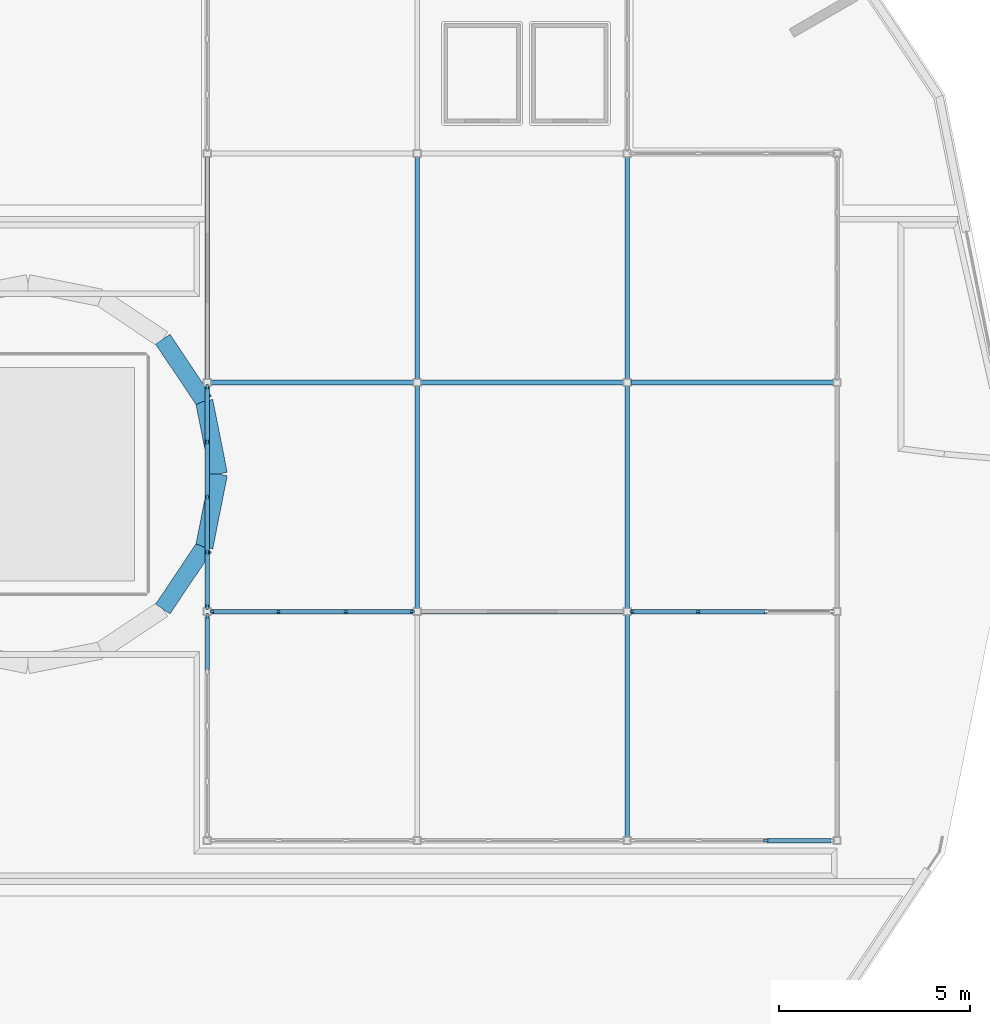
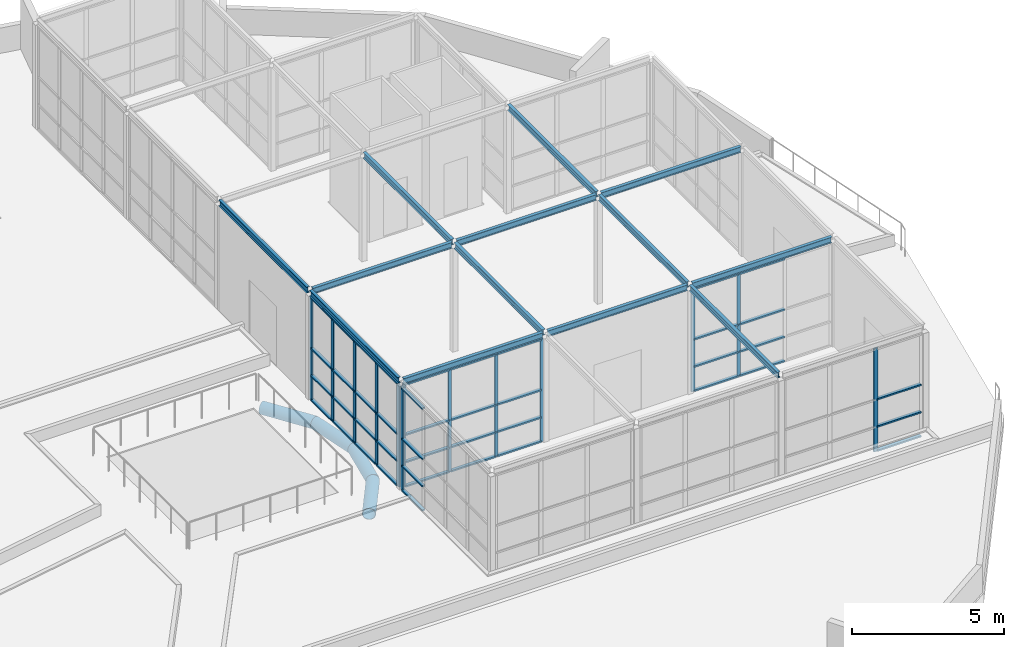
# One storey, part 12 of 40: 60 members, 13 beams, 5 elements without a shape of their own.
"""IFC4 building model written with IfcOpenShell, lengths in metres."""

from ifc_helpers import new_model, si_unit, direction, frame, origin, origin_2d, place, context, subcontext, project, spatial, rectangle, hollow_circle, i_section, extrude, material, material_profile, profile_set, type_object, element, aggregate, save


model = new_model("IFC4")

# Units and contexts
model_context = context("Model", 3, precision=1e-05, world=origin(), true_north=direction((0.0, 1.0)))
body_context = subcontext(model_context, "Body", "Model", "MODEL_VIEW")
ifc_project = project(units=[si_unit("LENGTHUNIT", "METRE"), si_unit("AREAUNIT", "SQUARE_METRE"), si_unit("VOLUMEUNIT", "CUBIC_METRE"), si_unit("PLANEANGLEUNIT", "RADIAN"), si_unit("MASSUNIT", "GRAM", prefix="KILO")], contexts=[model_context])

# Site, building, storey
site_placement = place(None, origin())
site = spatial("IfcSite", under=ifc_project, at=site_placement, CompositionType="ELEMENT")
building_placement = place(site_placement, origin())
building = spatial("IfcBuilding", under=site, at=building_placement, Name="Ceibo Conservatory and Research Tower", CompositionType="ELEMENT")
storey_placement = place(building_placement, frame((0.0, 0.0, 6.0)))
storey = spatial("IfcBuildingStorey", under=building, at=storey_placement, Name="L01", CompositionType="ELEMENT", Elevation=6.0)

# Members
ifc_material_1 = material(Name="Steel ASTM A500 Gr C", Category="steel")
ifc_material_profile_1 = material_profile(ifc_material_1, hollow_circle(Radius=0.228515625, WallThickness=0.01416015625, at=origin_2d()), Name="CHS 457.2x14.27")
ifc_profile_set_1 = profile_set([ifc_material_profile_1], Name="Steel ASTM A500 Gr C")
member_type_1 = type_object("IfcMemberType", Name="CHS 457.2x14.27", PredefinedType="NOTDEFINED", material=ifc_profile_set_1)
for number, where, z_axis, x_axis, name in (
    (1, (173.0, 36.0, -0.6796875), (-0.19510522281, 0.980782316333, 0.0), (-0.980782316333, -0.19510522281, 0.0), "Compression ring VC-CR01"),
    (2, (172.619384765625, 37.913330078125, -0.6796875), (-0.555479647543, 0.831530132446, 0.0), (-0.831530132446, -0.555479647543, 0.0), "Compression ring VC-CR02"),
    (3, (171.53564453125, 32.46435546875, -0.6796875), (0.555479647543, 0.831530132446, 0.0), (-0.831530132446, 0.555479647543, 0.0), "Compression ring VC-CR15"),
    (4, (172.619384765625, 34.086669921875, -0.6796875), (0.19510522281, 0.980782316333, 0.0), (-0.980782316333, 0.19510522281, 0.0), "Compression ring VC-CR16"),
):
    element("IfcMember", number, at=place(storey_placement, frame(where, z_axis=z_axis, x_axis=x_axis)), inside=storey, type_object=member_type_1, Name=name, PredefinedType="CHORD", context=body_context, shape_type="SweptSolid", body=[
        extrude(hollow_circle(Radius=0.228515625, WallThickness=0.01416015625, at=origin_2d()), origin(), (0.0, 0.0, 1.0), 1.950927734375),
    ])

# Beams
ifc_material_2 = material(Name="Steel S355J2", Category="steel")
ifc_material_profile_2 = material_profile(ifc_material_2, i_section(OverallWidth=0.1201171875, OverallDepth=0.239990234375, WebThickness=0.006103515625, FlangeThickness=0.009765625, at=origin_2d()), Name="IPE 240")
ifc_profile_set_2 = profile_set([ifc_material_profile_2], Name="Steel S355J2")
beam_type = type_object("IfcBeamType", Name="IPE 240 gallery roof beam", PredefinedType="BEAM", material=ifc_profile_set_2)
for number, where, z_axis, x_axis, name in (
    (5, (172.794921875, 32.39990234375, 4.280029296875), (1.0, 0.0, 0.0), (0.0, 1.0, 0.0), "Sky Gallery roof beam VC-SBh01"),
    (6, (178.294921875, 32.39990234375, 4.280029296875), (1.0, 0.0, 0.0), (0.0, 1.0, 0.0), "Sky Gallery roof beam VC-SBh11"),
    (7, (183.794921875, 32.39990234375, 4.280029296875), (1.0, 0.0, 0.0), (0.0, 1.0, 0.0), "Sky Gallery roof beam VC-SBh21"),
    (8, (172.794921875, 38.39990234375, 4.280029296875), (1.0, 0.0, 0.0), (0.0, 1.0, 0.0), "Sky Gallery roof beam VC-SBh02"),
    (9, (178.294921875, 38.39990234375, 4.280029296875), (1.0, 0.0, 0.0), (0.0, 1.0, 0.0), "Sky Gallery roof beam VC-SBh12"),
    (10, (183.794921875, 38.39990234375, 4.280029296875), (1.0, 0.0, 0.0), (0.0, 1.0, 0.0), "Sky Gallery roof beam VC-SBh22"),
):
    element("IfcBeam", number, at=place(storey_placement, frame(where, z_axis=z_axis, x_axis=x_axis)), inside=storey, type_object=beam_type, Name=name, PredefinedType="BEAM", context=body_context, shape_type="SweptSolid", body=[
        extrude(i_section(OverallWidth=0.1201171875, OverallDepth=0.239990234375, WebThickness=0.006103515625, FlangeThickness=0.009765625, at=origin_2d()), origin(), (0.0, 0.0, 1.0), 5.31005859375),
    ])
for number, where, z_axis, x_axis, name in (
    (11, (172.699951171875, 32.4951171875, 4.280029296875), (0.0, 1.0, 0.0), (-1.0, 0.0, 0.0), "Sky Gallery roof beam VC-SBv01"),
    (12, (172.699951171875, 38.4951171875, 4.280029296875), (0.0, 1.0, 0.0), (-1.0, 0.0, 0.0), "Sky Gallery roof beam VC-SBv02"),
    (13, (178.199951171875, 32.4951171875, 4.280029296875), (0.0, 1.0, 0.0), (-1.0, 0.0, 0.0), "Sky Gallery roof beam VC-SBv11"),
    (14, (178.199951171875, 38.4951171875, 4.280029296875), (0.0, 1.0, 0.0), (-1.0, 0.0, 0.0), "Sky Gallery roof beam VC-SBv12"),
    (15, (183.699951171875, 26.4951171875, 4.280029296875), (0.0, 1.0, 0.0), (-1.0, 0.0, 0.0), "Sky Gallery roof beam VC-SBv20"),
    (16, (183.699951171875, 32.4951171875, 4.280029296875), (0.0, 1.0, 0.0), (-1.0, 0.0, 0.0), "Sky Gallery roof beam VC-SBv21"),
    (17, (183.699951171875, 38.4951171875, 4.280029296875), (0.0, 1.0, 0.0), (-1.0, 0.0, 0.0), "Sky Gallery roof beam VC-SBv22"),
):
    element("IfcBeam", number, at=place(storey_placement, frame(where, z_axis=z_axis, x_axis=x_axis)), inside=storey, type_object=beam_type, Name=name, PredefinedType="BEAM", context=body_context, shape_type="SweptSolid", body=[
        extrude(i_section(OverallWidth=0.1201171875, OverallDepth=0.239990234375, WebThickness=0.006103515625, FlangeThickness=0.009765625, at=origin_2d()), origin(), (0.0, 0.0, 1.0), 5.809814453125),
    ])

# Curtain wall, member
ifc_material_3 = material(Name="Aluminium and glass", Category="aluminium")
curtain_wall_type_1 = type_object("IfcCurtainWallType", Name="Sky gallery curtain wall", PredefinedType="NOTDEFINED", material=ifc_material_3)
curtain_wall_1_placement = place(storey_placement, origin())
curtain_wall_1 = element("IfcCurtainWall", 18, at=curtain_wall_1_placement, inside=storey, type_object=curtain_wall_type_1, Name="Sky Gallery curtain wall h20", PredefinedType="NOTDEFINED")
ifc_material_4 = material(Name="Aluminium", Category="aluminium")
ifc_material_profile_3 = material_profile(ifc_material_4, rectangle(XDim=0.06005859375, YDim=0.159912109375, at=origin_2d()), Name="AL 60x160")
ifc_profile_set_3 = profile_set([ifc_material_profile_3], Name="Aluminium")
member_type_2 = type_object("IfcMemberType", Name="Sky gallery mullion 60x160", PredefinedType="MULLION", material=ifc_profile_set_3)
member_1_placement = place(storey_placement, frame((187.333251953125, 26.39990234375, 0.0), z_axis=(0.0, 0.0, 1.0), x_axis=(0.0, 1.0, 0.0)))
member_1 = element("IfcMember", 19, at=member_1_placement, type_object=member_type_2, Name="VC-SWh20 mullion 3", PredefinedType="MULLION", context=body_context, shape_type="SweptSolid", body=[
    extrude(rectangle(XDim=0.06005859375, YDim=0.159912109375, at=origin_2d()), origin(), (0.0, 0.0, 1.0), 4.159912109375),
])

curtain_wall_2_placement = place(storey_placement, origin())
curtain_wall_2 = element("IfcCurtainWall", 20, at=curtain_wall_2_placement, inside=storey, type_object=curtain_wall_type_1, Name="Sky Gallery curtain wall v00", PredefinedType="NOTDEFINED")
member_2_placement = place(storey_placement, frame((172.699951171875, 32.27001953125, 0.0), z_axis=(0.0, 0.0, 1.0), x_axis=(-1.0, 0.0, 0.0)))
member_2 = element("IfcMember", 21, at=member_2_placement, type_object=member_type_2, Name="VC-SWv00 mullion 5", PredefinedType="MULLION", context=body_context, shape_type="SweptSolid", body=[
    extrude(rectangle(XDim=0.06005859375, YDim=0.159912109375, at=origin_2d()), origin(), (0.0, 0.0, 1.0), 4.159912109375),
])

# Curtain wall, members
curtain_wall_3_placement = place(storey_placement, origin())
curtain_wall_3 = element("IfcCurtainWall", 22, at=curtain_wall_3_placement, inside=storey, type_object=curtain_wall_type_1, Name="Sky Gallery curtain wall v01", PredefinedType="NOTDEFINED")
member_3_placement = place(storey_placement, frame((172.699951171875, 32.530029296875, 0.0), z_axis=(0.0, 0.0, 1.0), x_axis=(-1.0, 0.0, 0.0)))
member_3 = element("IfcMember", 23, at=member_3_placement, type_object=member_type_2, Name="VC-SWv01 mullion 1", PredefinedType="MULLION", context=body_context, shape_type="SweptSolid", body=[
    extrude(rectangle(XDim=0.06005859375, YDim=0.159912109375, at=origin_2d()), origin(), (0.0, 0.0, 1.0), 4.159912109375),
])
member_4_placement = place(storey_placement, frame((172.699951171875, 33.949951171875, 0.0), z_axis=(0.0, 0.0, 1.0), x_axis=(-1.0, 0.0, 0.0)))
member_4 = element("IfcMember", 24, at=member_4_placement, type_object=member_type_2, Name="VC-SWv01 mullion 2", PredefinedType="MULLION", context=body_context, shape_type="SweptSolid", body=[
    extrude(rectangle(XDim=0.06005859375, YDim=0.159912109375, at=origin_2d()), origin(), (0.0, 0.0, 1.0), 4.159912109375),
])
member_5_placement = place(storey_placement, frame((172.699951171875, 35.39990234375, 0.0), z_axis=(0.0, 0.0, 1.0), x_axis=(-1.0, 0.0, 0.0)))
member_5 = element("IfcMember", 25, at=member_5_placement, type_object=member_type_2, Name="VC-SWv01 mullion 3", PredefinedType="MULLION", context=body_context, shape_type="SweptSolid", body=[
    extrude(rectangle(XDim=0.06005859375, YDim=0.159912109375, at=origin_2d()), origin(), (0.0, 0.0, 1.0), 4.159912109375),
])
member_6_placement = place(storey_placement, frame((172.699951171875, 36.85009765625, 0.0), z_axis=(0.0, 0.0, 1.0), x_axis=(-1.0, 0.0, 0.0)))
member_6 = element("IfcMember", 26, at=member_6_placement, type_object=member_type_2, Name="VC-SWv01 mullion 4", PredefinedType="MULLION", context=body_context, shape_type="SweptSolid", body=[
    extrude(rectangle(XDim=0.06005859375, YDim=0.159912109375, at=origin_2d()), origin(), (0.0, 0.0, 1.0), 4.159912109375),
])
member_7_placement = place(storey_placement, frame((172.699951171875, 38.27001953125, 0.0), z_axis=(0.0, 0.0, 1.0), x_axis=(-1.0, 0.0, 0.0)))
member_7 = element("IfcMember", 27, at=member_7_placement, type_object=member_type_2, Name="VC-SWv01 mullion 5", PredefinedType="MULLION", context=body_context, shape_type="SweptSolid", body=[
    extrude(rectangle(XDim=0.06005859375, YDim=0.159912109375, at=origin_2d()), origin(), (0.0, 0.0, 1.0), 4.159912109375),
])

curtain_wall_type_2 = type_object("IfcCurtainWallType", Name="Sky gallery partition glazing", PredefinedType="NOTDEFINED", material=ifc_material_3)
curtain_wall_4_placement = place(storey_placement, origin())
curtain_wall_4 = element("IfcCurtainWall", 28, at=curtain_wall_4_placement, inside=storey, type_object=curtain_wall_type_2, Name="Sky Gallery curtain wall h01", PredefinedType="NOTDEFINED")
ifc_material_profile_4 = material_profile(ifc_material_4, rectangle(XDim=0.06005859375, YDim=0.1201171875, at=origin_2d()), Name="AL 60x120")
ifc_profile_set_4 = profile_set([ifc_material_profile_4], Name="Aluminium")
member_type_3 = type_object("IfcMemberType", Name="Sky gallery partition mullion 60x120", PredefinedType="MULLION", material=ifc_profile_set_4)
member_8_placement = place(storey_placement, frame((172.830078125, 32.39990234375, 0.0), z_axis=(0.0, 0.0, 1.0), x_axis=(0.0, 1.0, 0.0)))
member_8 = element("IfcMember", 29, at=member_8_placement, type_object=member_type_3, Name="VC-SWh01 mullion 1", PredefinedType="MULLION", context=body_context, shape_type="SweptSolid", body=[
    extrude(rectangle(XDim=0.06005859375, YDim=0.1201171875, at=origin_2d()), origin(), (0.0, 0.0, 1.0), 4.159912109375),
])
member_9_placement = place(storey_placement, frame((174.566650390625, 32.39990234375, 0.0), z_axis=(0.0, 0.0, 1.0), x_axis=(0.0, 1.0, 0.0)))
member_9 = element("IfcMember", 30, at=member_9_placement, type_object=member_type_3, Name="VC-SWh01 mullion 2", PredefinedType="MULLION", context=body_context, shape_type="SweptSolid", body=[
    extrude(rectangle(XDim=0.06005859375, YDim=0.1201171875, at=origin_2d()), origin(), (0.0, 0.0, 1.0), 4.159912109375),
])
member_10_placement = place(storey_placement, frame((176.333251953125, 32.39990234375, 0.0), z_axis=(0.0, 0.0, 1.0), x_axis=(0.0, 1.0, 0.0)))
member_10 = element("IfcMember", 31, at=member_10_placement, type_object=member_type_3, Name="VC-SWh01 mullion 3", PredefinedType="MULLION", context=body_context, shape_type="SweptSolid", body=[
    extrude(rectangle(XDim=0.06005859375, YDim=0.1201171875, at=origin_2d()), origin(), (0.0, 0.0, 1.0), 4.159912109375),
])
member_11_placement = place(storey_placement, frame((178.070068359375, 32.39990234375, 0.0), z_axis=(0.0, 0.0, 1.0), x_axis=(0.0, 1.0, 0.0)))
member_11 = element("IfcMember", 32, at=member_11_placement, type_object=member_type_3, Name="VC-SWh01 mullion 4", PredefinedType="MULLION", context=body_context, shape_type="SweptSolid", body=[
    extrude(rectangle(XDim=0.06005859375, YDim=0.1201171875, at=origin_2d()), origin(), (0.0, 0.0, 1.0), 4.159912109375),
])

curtain_wall_5_placement = place(storey_placement, origin())
curtain_wall_5 = element("IfcCurtainWall", 33, at=curtain_wall_5_placement, inside=storey, type_object=curtain_wall_type_2, Name="Sky Gallery curtain wall h21", PredefinedType="NOTDEFINED")
member_12_placement = place(storey_placement, frame((183.830078125, 32.39990234375, 0.0), z_axis=(0.0, 0.0, 1.0), x_axis=(0.0, 1.0, 0.0)))
member_12 = element("IfcMember", 34, at=member_12_placement, type_object=member_type_3, Name="VC-SWh21 mullion 1", PredefinedType="MULLION", context=body_context, shape_type="SweptSolid", body=[
    extrude(rectangle(XDim=0.06005859375, YDim=0.1201171875, at=origin_2d()), origin(), (0.0, 0.0, 1.0), 4.159912109375),
])
member_13_placement = place(storey_placement, frame((185.566650390625, 32.39990234375, 0.0), z_axis=(0.0, 0.0, 1.0), x_axis=(0.0, 1.0, 0.0)))
member_13 = element("IfcMember", 35, at=member_13_placement, type_object=member_type_3, Name="VC-SWh21 mullion 2", PredefinedType="MULLION", context=body_context, shape_type="SweptSolid", body=[
    extrude(rectangle(XDim=0.06005859375, YDim=0.1201171875, at=origin_2d()), origin(), (0.0, 0.0, 1.0), 4.159912109375),
])

# Member
ifc_material_profile_5 = material_profile(ifc_material_4, rectangle(XDim=0.1201171875, YDim=0.06005859375, at=origin_2d()), Name="AL 60x120")
ifc_profile_set_5 = profile_set([ifc_material_profile_5], Name="Aluminium")
member_type_4 = type_object("IfcMemberType", Name="Sky gallery partition transom 60x120", PredefinedType="USERDEFINED", material=ifc_profile_set_5)
member_14_placement = place(storey_placement, frame((172.860107421875, 32.39990234375, 0.030029296875), z_axis=(1.0, 0.0, 0.0), x_axis=(0.0, 1.0, 0.0)))
member_14 = element("IfcMember", 36, at=member_14_placement, type_object=member_type_4, Name="VC-SWh01 transom 1.1", ObjectType="TRANSOM", PredefinedType="USERDEFINED", context=body_context, shape_type="SweptSolid", body=[
    extrude(rectangle(XDim=0.1201171875, YDim=0.06005859375, at=origin_2d()), origin(), (0.0, 0.0, 1.0), 1.676513671875),
])

member_15_placement = place(storey_placement, frame((172.860107421875, 32.39990234375, 1.0), z_axis=(1.0, 0.0, 0.0), x_axis=(0.0, 1.0, 0.0)))
member_15 = element("IfcMember", 37, at=member_15_placement, type_object=member_type_4, Name="VC-SWh01 transom 1.2", ObjectType="TRANSOM", PredefinedType="USERDEFINED", context=body_context, shape_type="SweptSolid", body=[
    extrude(rectangle(XDim=0.1201171875, YDim=0.06005859375, at=origin_2d()), origin(), (0.0, 0.0, 1.0), 1.676513671875),
])

member_16_placement = place(storey_placement, frame((172.860107421875, 32.39990234375, 2.10009765625), z_axis=(1.0, 0.0, 0.0), x_axis=(0.0, 1.0, 0.0)))
member_16 = element("IfcMember", 38, at=member_16_placement, type_object=member_type_4, Name="VC-SWh01 transom 1.3", ObjectType="TRANSOM", PredefinedType="USERDEFINED", context=body_context, shape_type="SweptSolid", body=[
    extrude(rectangle(XDim=0.1201171875, YDim=0.06005859375, at=origin_2d()), origin(), (0.0, 0.0, 1.0), 1.676513671875),
])

member_17_placement = place(storey_placement, frame((172.860107421875, 32.39990234375, 4.1298828125), z_axis=(1.0, 0.0, 0.0), x_axis=(0.0, 1.0, 0.0)))
member_17 = element("IfcMember", 39, at=member_17_placement, type_object=member_type_4, Name="VC-SWh01 transom 1.4", ObjectType="TRANSOM", PredefinedType="USERDEFINED", context=body_context, shape_type="SweptSolid", body=[
    extrude(rectangle(XDim=0.1201171875, YDim=0.06005859375, at=origin_2d()), origin(), (0.0, 0.0, 1.0), 1.676513671875),
])

member_18_placement = place(storey_placement, frame((174.5966796875, 32.39990234375, 0.030029296875), z_axis=(1.0, 0.0, 0.0), x_axis=(0.0, 1.0, 0.0)))
member_18 = element("IfcMember", 40, at=member_18_placement, type_object=member_type_4, Name="VC-SWh01 transom 2.1", ObjectType="TRANSOM", PredefinedType="USERDEFINED", context=body_context, shape_type="SweptSolid", body=[
    extrude(rectangle(XDim=0.1201171875, YDim=0.06005859375, at=origin_2d()), origin(), (0.0, 0.0, 1.0), 1.70654296875),
])

member_19_placement = place(storey_placement, frame((174.5966796875, 32.39990234375, 1.0), z_axis=(1.0, 0.0, 0.0), x_axis=(0.0, 1.0, 0.0)))
member_19 = element("IfcMember", 41, at=member_19_placement, type_object=member_type_4, Name="VC-SWh01 transom 2.2", ObjectType="TRANSOM", PredefinedType="USERDEFINED", context=body_context, shape_type="SweptSolid", body=[
    extrude(rectangle(XDim=0.1201171875, YDim=0.06005859375, at=origin_2d()), origin(), (0.0, 0.0, 1.0), 1.70654296875),
])

member_20_placement = place(storey_placement, frame((174.5966796875, 32.39990234375, 2.10009765625), z_axis=(1.0, 0.0, 0.0), x_axis=(0.0, 1.0, 0.0)))
member_20 = element("IfcMember", 42, at=member_20_placement, type_object=member_type_4, Name="VC-SWh01 transom 2.3", ObjectType="TRANSOM", PredefinedType="USERDEFINED", context=body_context, shape_type="SweptSolid", body=[
    extrude(rectangle(XDim=0.1201171875, YDim=0.06005859375, at=origin_2d()), origin(), (0.0, 0.0, 1.0), 1.70654296875),
])

member_21_placement = place(storey_placement, frame((174.5966796875, 32.39990234375, 4.1298828125), z_axis=(1.0, 0.0, 0.0), x_axis=(0.0, 1.0, 0.0)))
member_21 = element("IfcMember", 43, at=member_21_placement, type_object=member_type_4, Name="VC-SWh01 transom 2.4", ObjectType="TRANSOM", PredefinedType="USERDEFINED", context=body_context, shape_type="SweptSolid", body=[
    extrude(rectangle(XDim=0.1201171875, YDim=0.06005859375, at=origin_2d()), origin(), (0.0, 0.0, 1.0), 1.70654296875),
])

member_22_placement = place(storey_placement, frame((176.36328125, 32.39990234375, 0.030029296875), z_axis=(1.0, 0.0, 0.0), x_axis=(0.0, 1.0, 0.0)))
member_22 = element("IfcMember", 44, at=member_22_placement, type_object=member_type_4, Name="VC-SWh01 transom 3.1", ObjectType="TRANSOM", PredefinedType="USERDEFINED", context=body_context, shape_type="SweptSolid", body=[
    extrude(rectangle(XDim=0.1201171875, YDim=0.06005859375, at=origin_2d()), origin(), (0.0, 0.0, 1.0), 1.6767578125),
])

member_23_placement = place(storey_placement, frame((176.36328125, 32.39990234375, 1.0), z_axis=(1.0, 0.0, 0.0), x_axis=(0.0, 1.0, 0.0)))
member_23 = element("IfcMember", 45, at=member_23_placement, type_object=member_type_4, Name="VC-SWh01 transom 3.2", ObjectType="TRANSOM", PredefinedType="USERDEFINED", context=body_context, shape_type="SweptSolid", body=[
    extrude(rectangle(XDim=0.1201171875, YDim=0.06005859375, at=origin_2d()), origin(), (0.0, 0.0, 1.0), 1.6767578125),
])

member_24_placement = place(storey_placement, frame((176.36328125, 32.39990234375, 2.10009765625), z_axis=(1.0, 0.0, 0.0), x_axis=(0.0, 1.0, 0.0)))
member_24 = element("IfcMember", 46, at=member_24_placement, type_object=member_type_4, Name="VC-SWh01 transom 3.3", ObjectType="TRANSOM", PredefinedType="USERDEFINED", context=body_context, shape_type="SweptSolid", body=[
    extrude(rectangle(XDim=0.1201171875, YDim=0.06005859375, at=origin_2d()), origin(), (0.0, 0.0, 1.0), 1.6767578125),
])

member_25_placement = place(storey_placement, frame((176.36328125, 32.39990234375, 4.1298828125), z_axis=(1.0, 0.0, 0.0), x_axis=(0.0, 1.0, 0.0)))
member_25 = element("IfcMember", 47, at=member_25_placement, type_object=member_type_4, Name="VC-SWh01 transom 3.4", ObjectType="TRANSOM", PredefinedType="USERDEFINED", context=body_context, shape_type="SweptSolid", body=[
    extrude(rectangle(XDim=0.1201171875, YDim=0.06005859375, at=origin_2d()), origin(), (0.0, 0.0, 1.0), 1.6767578125),
])

aggregate(curtain_wall_4, [member_8, member_9, member_10, member_11, member_14, member_15, member_16, member_17, member_18, member_19, member_20, member_21, member_22, member_23, member_24, member_25])

member_26_placement = place(storey_placement, frame((183.860107421875, 32.39990234375, 0.030029296875), z_axis=(1.0, 0.0, 0.0), x_axis=(0.0, 1.0, 0.0)))
member_26 = element("IfcMember", 48, at=member_26_placement, type_object=member_type_4, Name="VC-SWh21 transom 1.1", ObjectType="TRANSOM", PredefinedType="USERDEFINED", context=body_context, shape_type="SweptSolid", body=[
    extrude(rectangle(XDim=0.1201171875, YDim=0.06005859375, at=origin_2d()), origin(), (0.0, 0.0, 1.0), 1.676513671875),
])

member_27_placement = place(storey_placement, frame((183.860107421875, 32.39990234375, 1.0), z_axis=(1.0, 0.0, 0.0), x_axis=(0.0, 1.0, 0.0)))
member_27 = element("IfcMember", 49, at=member_27_placement, type_object=member_type_4, Name="VC-SWh21 transom 1.2", ObjectType="TRANSOM", PredefinedType="USERDEFINED", context=body_context, shape_type="SweptSolid", body=[
    extrude(rectangle(XDim=0.1201171875, YDim=0.06005859375, at=origin_2d()), origin(), (0.0, 0.0, 1.0), 1.676513671875),
])

member_28_placement = place(storey_placement, frame((183.860107421875, 32.39990234375, 2.10009765625), z_axis=(1.0, 0.0, 0.0), x_axis=(0.0, 1.0, 0.0)))
member_28 = element("IfcMember", 50, at=member_28_placement, type_object=member_type_4, Name="VC-SWh21 transom 1.3", ObjectType="TRANSOM", PredefinedType="USERDEFINED", context=body_context, shape_type="SweptSolid", body=[
    extrude(rectangle(XDim=0.1201171875, YDim=0.06005859375, at=origin_2d()), origin(), (0.0, 0.0, 1.0), 1.676513671875),
])

member_29_placement = place(storey_placement, frame((183.860107421875, 32.39990234375, 4.1298828125), z_axis=(1.0, 0.0, 0.0), x_axis=(0.0, 1.0, 0.0)))
member_29 = element("IfcMember", 51, at=member_29_placement, type_object=member_type_4, Name="VC-SWh21 transom 1.4", ObjectType="TRANSOM", PredefinedType="USERDEFINED", context=body_context, shape_type="SweptSolid", body=[
    extrude(rectangle(XDim=0.1201171875, YDim=0.06005859375, at=origin_2d()), origin(), (0.0, 0.0, 1.0), 1.676513671875),
])

member_30_placement = place(storey_placement, frame((185.5966796875, 32.39990234375, 0.030029296875), z_axis=(1.0, 0.0, 0.0), x_axis=(0.0, 1.0, 0.0)))
member_30 = element("IfcMember", 52, at=member_30_placement, type_object=member_type_4, Name="VC-SWh21 transom 2.1", ObjectType="TRANSOM", PredefinedType="USERDEFINED", context=body_context, shape_type="SweptSolid", body=[
    extrude(rectangle(XDim=0.1201171875, YDim=0.06005859375, at=origin_2d()), origin(), (0.0, 0.0, 1.0), 1.70654296875),
])

member_31_placement = place(storey_placement, frame((185.5966796875, 32.39990234375, 1.0), z_axis=(1.0, 0.0, 0.0), x_axis=(0.0, 1.0, 0.0)))
member_31 = element("IfcMember", 53, at=member_31_placement, type_object=member_type_4, Name="VC-SWh21 transom 2.2", ObjectType="TRANSOM", PredefinedType="USERDEFINED", context=body_context, shape_type="SweptSolid", body=[
    extrude(rectangle(XDim=0.1201171875, YDim=0.06005859375, at=origin_2d()), origin(), (0.0, 0.0, 1.0), 1.70654296875),
])

member_32_placement = place(storey_placement, frame((185.5966796875, 32.39990234375, 2.10009765625), z_axis=(1.0, 0.0, 0.0), x_axis=(0.0, 1.0, 0.0)))
member_32 = element("IfcMember", 54, at=member_32_placement, type_object=member_type_4, Name="VC-SWh21 transom 2.3", ObjectType="TRANSOM", PredefinedType="USERDEFINED", context=body_context, shape_type="SweptSolid", body=[
    extrude(rectangle(XDim=0.1201171875, YDim=0.06005859375, at=origin_2d()), origin(), (0.0, 0.0, 1.0), 1.70654296875),
])

member_33_placement = place(storey_placement, frame((185.5966796875, 32.39990234375, 4.1298828125), z_axis=(1.0, 0.0, 0.0), x_axis=(0.0, 1.0, 0.0)))
member_33 = element("IfcMember", 55, at=member_33_placement, type_object=member_type_4, Name="VC-SWh21 transom 2.4", ObjectType="TRANSOM", PredefinedType="USERDEFINED", context=body_context, shape_type="SweptSolid", body=[
    extrude(rectangle(XDim=0.1201171875, YDim=0.06005859375, at=origin_2d()), origin(), (0.0, 0.0, 1.0), 1.70654296875),
])

aggregate(curtain_wall_5, [member_12, member_13, member_26, member_27, member_28, member_29, member_30, member_31, member_32, member_33])

ifc_material_profile_6 = material_profile(ifc_material_4, rectangle(XDim=0.1201171875, YDim=0.06005859375, at=origin_2d()), Name="AL 60x120")
ifc_profile_set_6 = profile_set([ifc_material_profile_6], Name="Aluminium")
member_type_5 = type_object("IfcMemberType", Name="Sky gallery transom 60x120", PredefinedType="USERDEFINED", material=ifc_profile_set_6)
member_34_placement = place(storey_placement, frame((187.36328125, 26.39990234375, 0.030029296875), z_axis=(1.0, 0.0, 0.0), x_axis=(0.0, 1.0, 0.0)))
member_34 = element("IfcMember", 56, at=member_34_placement, type_object=member_type_5, Name="VC-SWh20 transom 3.1", ObjectType="TRANSOM", PredefinedType="USERDEFINED", context=body_context, shape_type="SweptSolid", body=[
    extrude(rectangle(XDim=0.1201171875, YDim=0.06005859375, at=origin_2d()), origin(), (0.0, 0.0, 1.0), 1.6767578125),
])

member_35_placement = place(storey_placement, frame((187.36328125, 26.39990234375, 1.0), z_axis=(1.0, 0.0, 0.0), x_axis=(0.0, 1.0, 0.0)))
member_35 = element("IfcMember", 57, at=member_35_placement, type_object=member_type_5, Name="VC-SWh20 transom 3.2", ObjectType="TRANSOM", PredefinedType="USERDEFINED", context=body_context, shape_type="SweptSolid", body=[
    extrude(rectangle(XDim=0.1201171875, YDim=0.06005859375, at=origin_2d()), origin(), (0.0, 0.0, 1.0), 1.6767578125),
])

member_36_placement = place(storey_placement, frame((187.36328125, 26.39990234375, 2.10009765625), z_axis=(1.0, 0.0, 0.0), x_axis=(0.0, 1.0, 0.0)))
member_36 = element("IfcMember", 58, at=member_36_placement, type_object=member_type_5, Name="VC-SWh20 transom 3.3", ObjectType="TRANSOM", PredefinedType="USERDEFINED", context=body_context, shape_type="SweptSolid", body=[
    extrude(rectangle(XDim=0.1201171875, YDim=0.06005859375, at=origin_2d()), origin(), (0.0, 0.0, 1.0), 1.6767578125),
])

aggregate(curtain_wall_1, [member_1, member_34, member_35, member_36])

member_37_placement = place(storey_placement, frame((172.699951171875, 30.8798828125, 0.030029296875), z_axis=(0.0, 1.0, 0.0), x_axis=(-1.0, 0.0, 0.0)))
member_37 = element("IfcMember", 59, at=member_37_placement, type_object=member_type_5, Name="VC-SWv00 transom 4.1", ObjectType="TRANSOM", PredefinedType="USERDEFINED", context=body_context, shape_type="SweptSolid", body=[
    extrude(rectangle(XDim=0.1201171875, YDim=0.06005859375, at=origin_2d()), origin(), (0.0, 0.0, 1.0), 1.360107421875),
])

member_38_placement = place(storey_placement, frame((172.699951171875, 30.8798828125, 1.0), z_axis=(0.0, 1.0, 0.0), x_axis=(-1.0, 0.0, 0.0)))
member_38 = element("IfcMember", 60, at=member_38_placement, type_object=member_type_5, Name="VC-SWv00 transom 4.2", ObjectType="TRANSOM", PredefinedType="USERDEFINED", context=body_context, shape_type="SweptSolid", body=[
    extrude(rectangle(XDim=0.1201171875, YDim=0.06005859375, at=origin_2d()), origin(), (0.0, 0.0, 1.0), 1.360107421875),
])

member_39_placement = place(storey_placement, frame((172.699951171875, 30.8798828125, 2.10009765625), z_axis=(0.0, 1.0, 0.0), x_axis=(-1.0, 0.0, 0.0)))
member_39 = element("IfcMember", 61, at=member_39_placement, type_object=member_type_5, Name="VC-SWv00 transom 4.3", ObjectType="TRANSOM", PredefinedType="USERDEFINED", context=body_context, shape_type="SweptSolid", body=[
    extrude(rectangle(XDim=0.1201171875, YDim=0.06005859375, at=origin_2d()), origin(), (0.0, 0.0, 1.0), 1.360107421875),
])

member_40_placement = place(storey_placement, frame((172.699951171875, 30.8798828125, 4.1298828125), z_axis=(0.0, 1.0, 0.0), x_axis=(-1.0, 0.0, 0.0)))
member_40 = element("IfcMember", 62, at=member_40_placement, type_object=member_type_5, Name="VC-SWv00 transom 4.4", ObjectType="TRANSOM", PredefinedType="USERDEFINED", context=body_context, shape_type="SweptSolid", body=[
    extrude(rectangle(XDim=0.1201171875, YDim=0.06005859375, at=origin_2d()), origin(), (0.0, 0.0, 1.0), 1.360107421875),
])

aggregate(curtain_wall_2, [member_2, member_37, member_38, member_39, member_40])

member_41_placement = place(storey_placement, frame((172.699951171875, 32.56005859375, 0.030029296875), z_axis=(0.0, 1.0, 0.0), x_axis=(-1.0, 0.0, 0.0)))
member_41 = element("IfcMember", 63, at=member_41_placement, type_object=member_type_5, Name="VC-SWv01 transom 1.1", ObjectType="TRANSOM", PredefinedType="USERDEFINED", context=body_context, shape_type="SweptSolid", body=[
    extrude(rectangle(XDim=0.1201171875, YDim=0.06005859375, at=origin_2d()), origin(), (0.0, 0.0, 1.0), 1.35986328125),
])

member_42_placement = place(storey_placement, frame((172.699951171875, 32.56005859375, 1.0), z_axis=(0.0, 1.0, 0.0), x_axis=(-1.0, 0.0, 0.0)))
member_42 = element("IfcMember", 64, at=member_42_placement, type_object=member_type_5, Name="VC-SWv01 transom 1.2", ObjectType="TRANSOM", PredefinedType="USERDEFINED", context=body_context, shape_type="SweptSolid", body=[
    extrude(rectangle(XDim=0.1201171875, YDim=0.06005859375, at=origin_2d()), origin(), (0.0, 0.0, 1.0), 1.35986328125),
])

member_43_placement = place(storey_placement, frame((172.699951171875, 32.56005859375, 2.10009765625), z_axis=(0.0, 1.0, 0.0), x_axis=(-1.0, 0.0, 0.0)))
member_43 = element("IfcMember", 65, at=member_43_placement, type_object=member_type_5, Name="VC-SWv01 transom 1.3", ObjectType="TRANSOM", PredefinedType="USERDEFINED", context=body_context, shape_type="SweptSolid", body=[
    extrude(rectangle(XDim=0.1201171875, YDim=0.06005859375, at=origin_2d()), origin(), (0.0, 0.0, 1.0), 1.35986328125),
])

member_44_placement = place(storey_placement, frame((172.699951171875, 32.56005859375, 4.1298828125), z_axis=(0.0, 1.0, 0.0), x_axis=(-1.0, 0.0, 0.0)))
member_44 = element("IfcMember", 66, at=member_44_placement, type_object=member_type_5, Name="VC-SWv01 transom 1.4", ObjectType="TRANSOM", PredefinedType="USERDEFINED", context=body_context, shape_type="SweptSolid", body=[
    extrude(rectangle(XDim=0.1201171875, YDim=0.06005859375, at=origin_2d()), origin(), (0.0, 0.0, 1.0), 1.35986328125),
])

member_45_placement = place(storey_placement, frame((172.699951171875, 33.97998046875, 0.030029296875), z_axis=(0.0, 1.0, 0.0), x_axis=(-1.0, 0.0, 0.0)))
member_45 = element("IfcMember", 67, at=member_45_placement, type_object=member_type_5, Name="VC-SWv01 transom 2.1", ObjectType="TRANSOM", PredefinedType="USERDEFINED", context=body_context, shape_type="SweptSolid", body=[
    extrude(rectangle(XDim=0.1201171875, YDim=0.06005859375, at=origin_2d()), origin(), (0.0, 0.0, 1.0), 1.39013671875),
])

member_46_placement = place(storey_placement, frame((172.699951171875, 33.97998046875, 1.0), z_axis=(0.0, 1.0, 0.0), x_axis=(-1.0, 0.0, 0.0)))
member_46 = element("IfcMember", 68, at=member_46_placement, type_object=member_type_5, Name="VC-SWv01 transom 2.2", ObjectType="TRANSOM", PredefinedType="USERDEFINED", context=body_context, shape_type="SweptSolid", body=[
    extrude(rectangle(XDim=0.1201171875, YDim=0.06005859375, at=origin_2d()), origin(), (0.0, 0.0, 1.0), 1.39013671875),
])

member_47_placement = place(storey_placement, frame((172.699951171875, 33.97998046875, 2.10009765625), z_axis=(0.0, 1.0, 0.0), x_axis=(-1.0, 0.0, 0.0)))
member_47 = element("IfcMember", 69, at=member_47_placement, type_object=member_type_5, Name="VC-SWv01 transom 2.3", ObjectType="TRANSOM", PredefinedType="USERDEFINED", context=body_context, shape_type="SweptSolid", body=[
    extrude(rectangle(XDim=0.1201171875, YDim=0.06005859375, at=origin_2d()), origin(), (0.0, 0.0, 1.0), 1.39013671875),
])

member_48_placement = place(storey_placement, frame((172.699951171875, 33.97998046875, 4.1298828125), z_axis=(0.0, 1.0, 0.0), x_axis=(-1.0, 0.0, 0.0)))
member_48 = element("IfcMember", 70, at=member_48_placement, type_object=member_type_5, Name="VC-SWv01 transom 2.4", ObjectType="TRANSOM", PredefinedType="USERDEFINED", context=body_context, shape_type="SweptSolid", body=[
    extrude(rectangle(XDim=0.1201171875, YDim=0.06005859375, at=origin_2d()), origin(), (0.0, 0.0, 1.0), 1.39013671875),
])

member_49_placement = place(storey_placement, frame((172.699951171875, 35.429931640625, 0.030029296875), z_axis=(0.0, 1.0, 0.0), x_axis=(-1.0, 0.0, 0.0)))
member_49 = element("IfcMember", 71, at=member_49_placement, type_object=member_type_5, Name="VC-SWv01 transom 3.1", ObjectType="TRANSOM", PredefinedType="USERDEFINED", context=body_context, shape_type="SweptSolid", body=[
    extrude(rectangle(XDim=0.1201171875, YDim=0.06005859375, at=origin_2d()), origin(), (0.0, 0.0, 1.0), 1.39013671875),
])

member_50_placement = place(storey_placement, frame((172.699951171875, 35.429931640625, 1.0), z_axis=(0.0, 1.0, 0.0), x_axis=(-1.0, 0.0, 0.0)))
member_50 = element("IfcMember", 72, at=member_50_placement, type_object=member_type_5, Name="VC-SWv01 transom 3.2", ObjectType="TRANSOM", PredefinedType="USERDEFINED", context=body_context, shape_type="SweptSolid", body=[
    extrude(rectangle(XDim=0.1201171875, YDim=0.06005859375, at=origin_2d()), origin(), (0.0, 0.0, 1.0), 1.39013671875),
])

member_51_placement = place(storey_placement, frame((172.699951171875, 35.429931640625, 2.10009765625), z_axis=(0.0, 1.0, 0.0), x_axis=(-1.0, 0.0, 0.0)))
member_51 = element("IfcMember", 73, at=member_51_placement, type_object=member_type_5, Name="VC-SWv01 transom 3.3", ObjectType="TRANSOM", PredefinedType="USERDEFINED", context=body_context, shape_type="SweptSolid", body=[
    extrude(rectangle(XDim=0.1201171875, YDim=0.06005859375, at=origin_2d()), origin(), (0.0, 0.0, 1.0), 1.39013671875),
])

member_52_placement = place(storey_placement, frame((172.699951171875, 35.429931640625, 4.1298828125), z_axis=(0.0, 1.0, 0.0), x_axis=(-1.0, 0.0, 0.0)))
member_52 = element("IfcMember", 74, at=member_52_placement, type_object=member_type_5, Name="VC-SWv01 transom 3.4", ObjectType="TRANSOM", PredefinedType="USERDEFINED", context=body_context, shape_type="SweptSolid", body=[
    extrude(rectangle(XDim=0.1201171875, YDim=0.06005859375, at=origin_2d()), origin(), (0.0, 0.0, 1.0), 1.39013671875),
])

member_53_placement = place(storey_placement, frame((172.699951171875, 36.8798828125, 0.030029296875), z_axis=(0.0, 1.0, 0.0), x_axis=(-1.0, 0.0, 0.0)))
member_53 = element("IfcMember", 75, at=member_53_placement, type_object=member_type_5, Name="VC-SWv01 transom 4.1", ObjectType="TRANSOM", PredefinedType="USERDEFINED", context=body_context, shape_type="SweptSolid", body=[
    extrude(rectangle(XDim=0.1201171875, YDim=0.06005859375, at=origin_2d()), origin(), (0.0, 0.0, 1.0), 1.360107421875),
])

member_54_placement = place(storey_placement, frame((172.699951171875, 36.8798828125, 1.0), z_axis=(0.0, 1.0, 0.0), x_axis=(-1.0, 0.0, 0.0)))
member_54 = element("IfcMember", 76, at=member_54_placement, type_object=member_type_5, Name="VC-SWv01 transom 4.2", ObjectType="TRANSOM", PredefinedType="USERDEFINED", context=body_context, shape_type="SweptSolid", body=[
    extrude(rectangle(XDim=0.1201171875, YDim=0.06005859375, at=origin_2d()), origin(), (0.0, 0.0, 1.0), 1.360107421875),
])

member_55_placement = place(storey_placement, frame((172.699951171875, 36.8798828125, 2.10009765625), z_axis=(0.0, 1.0, 0.0), x_axis=(-1.0, 0.0, 0.0)))
member_55 = element("IfcMember", 77, at=member_55_placement, type_object=member_type_5, Name="VC-SWv01 transom 4.3", ObjectType="TRANSOM", PredefinedType="USERDEFINED", context=body_context, shape_type="SweptSolid", body=[
    extrude(rectangle(XDim=0.1201171875, YDim=0.06005859375, at=origin_2d()), origin(), (0.0, 0.0, 1.0), 1.360107421875),
])

member_56_placement = place(storey_placement, frame((172.699951171875, 36.8798828125, 4.1298828125), z_axis=(0.0, 1.0, 0.0), x_axis=(-1.0, 0.0, 0.0)))
member_56 = element("IfcMember", 78, at=member_56_placement, type_object=member_type_5, Name="VC-SWv01 transom 4.4", ObjectType="TRANSOM", PredefinedType="USERDEFINED", context=body_context, shape_type="SweptSolid", body=[
    extrude(rectangle(XDim=0.1201171875, YDim=0.06005859375, at=origin_2d()), origin(), (0.0, 0.0, 1.0), 1.360107421875),
])

aggregate(curtain_wall_3, [member_3, member_4, member_5, member_6, member_7, member_41, member_42, member_43, member_44, member_45, member_46, member_47, member_48, member_49, member_50, member_51, member_52, member_53, member_54, member_55, member_56])

save(model, "model.ifc")
